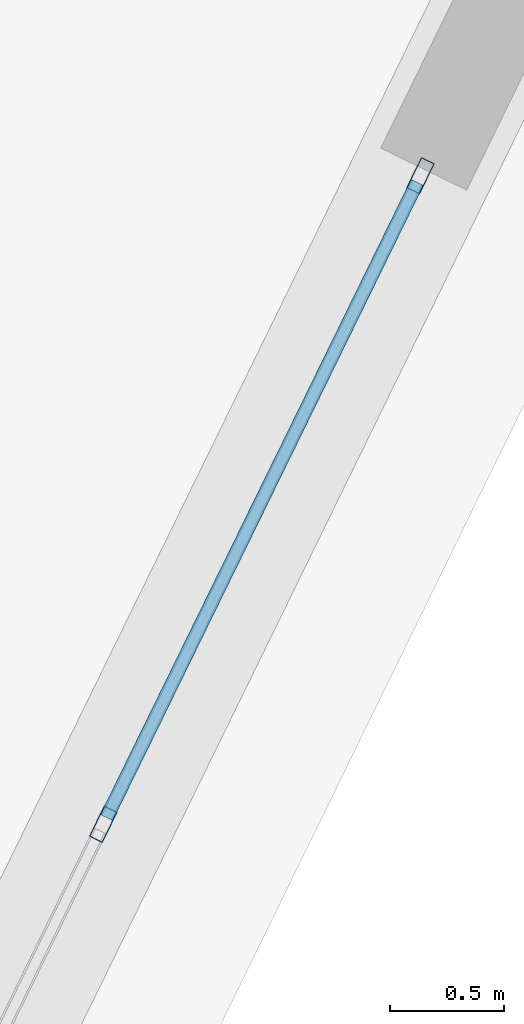
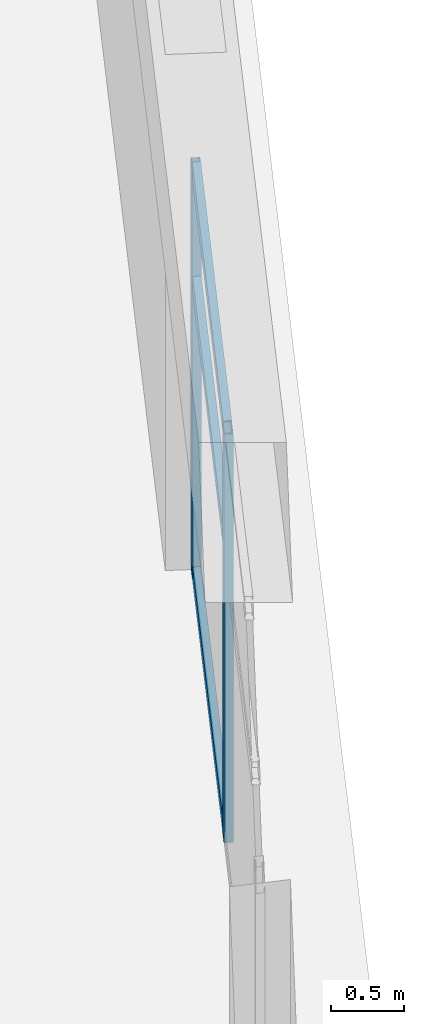
# One storey, part 16 of 30: 5 members, 1 element without a shape of its own.
"""IFC4 building model written with IfcOpenShell, lengths in metres."""

from ifc_helpers import new_model, si_unit, direction, frame, origin, origin_2d, place, context, subcontext, project, spatial, hollow_rectangle, extrude, source, transform, mapped, material, layer, layer_set, material_profile, profile_set, type_object, element, aggregate, save


model = new_model("IFC4")

# Units and contexts
model_context = context("Model", 3, precision=1e-05, world=origin(), true_north=direction((0.0, 1.0)))
body_context = subcontext(model_context, "Body", "Model", "MODEL_VIEW")
ifc_project = project(units=[si_unit("LENGTHUNIT", "METRE"), si_unit("AREAUNIT", "SQUARE_METRE"), si_unit("VOLUMEUNIT", "CUBIC_METRE"), si_unit("PLANEANGLEUNIT", "RADIAN"), si_unit("MASSUNIT", "GRAM", prefix="KILO")], contexts=[model_context])

# Site, building, storey
site_placement = place(None, origin())
site = spatial("IfcSite", under=ifc_project, at=site_placement, CompositionType="ELEMENT")
building_placement = place(site_placement, origin())
building = spatial("IfcBuilding", under=site, at=building_placement, Name="Liaohun Quay Tower", CompositionType="ELEMENT")
storey_placement = place(building_placement, frame((0.0, 0.0, 97.5)))
storey = spatial("IfcBuildingStorey", under=building, at=storey_placement, Name="L25", CompositionType="ELEMENT", Elevation=97.5)

# Curtain wall, members
ifc_material_1 = material(Name="Low-rise sky-lobby belvedere curtain wall")
ifc_layer = layer(ifc_material_1, 0.199951171875, Name="Low-rise sky-lobby belvedere curtain wall")
ifc_layer_set = layer_set([ifc_layer], Name="Low-rise sky-lobby belvedere curtain wall")
curtain_wall_type = type_object("IfcCurtainWallType", Name="CW-SKY-L25", PredefinedType="NOTDEFINED", material=ifc_layer_set)
curtain_wall_placement = place(storey_placement, origin())
curtain_wall = element("IfcCurtainWall", 1, at=curtain_wall_placement, inside=storey, type_object=curtain_wall_type, Name="L25 Panoramic Belvedere Curtain Wall 02", PredefinedType="NOTDEFINED")
ifc_material_2 = material(Name="Anodised aluminium 6063-T6", Category="aluminium")
ifc_material_profile_1 = material_profile(ifc_material_2, hollow_rectangle(XDim=0.06494140625, YDim=0.14990234375, WallThickness=0.00390625, at=origin_2d()), Name="RHS150x65x4")
ifc_profile_set_1 = profile_set([ifc_material_profile_1], Name="Anodised aluminium 6063-T6")
member_type_1 = type_object("IfcMemberType", Name="MEM-CWM-SKY", PredefinedType="MULLION", material=ifc_profile_set_1)
shared_shape_1 = source(origin(), body_context, "Body", "SweptSolid", [
    extrude(hollow_rectangle(XDim=0.06494140625, YDim=0.14990234375, WallThickness=0.00390625, at=origin_2d()), origin(), (0.0, 0.0, 1.0), 3.419921875),
])
member_1_placement = place(storey_placement, frame((90.98291015625, 55.71142578125, 0.0), z_axis=(0.0, 0.0, 1.0), x_axis=(-0.898299398197, 0.439383876809, 0.0)))
member_1 = element("IfcMember", 2, at=member_1_placement, type_object=member_type_1, Name="CW3 mullion 2", PredefinedType="MULLION", context=body_context, shape_type="MappedRepresentation", body=[
    mapped(shared_shape_1, transform((0.0, 0.0, 0.0), x_axis=(1.0, 0.0, 0.0), y_axis=(0.0, 1.0, 0.0), z_axis=(0.0, 0.0, 1.0), scale=1.0)),
])
member_2_placement = place(storey_placement, frame((92.374755859375, 58.556884765625, 0.0), z_axis=(0.0, 0.0, 1.0), x_axis=(-0.898299398197, 0.439383876809, 0.0)))
member_2 = element("IfcMember", 3, at=member_2_placement, type_object=member_type_1, Name="CW3 mullion 3", PredefinedType="MULLION", context=body_context, shape_type="MappedRepresentation", body=[
    mapped(shared_shape_1, transform((0.0, 0.0, 0.0), x_axis=(1.0, 0.0, 0.0), y_axis=(0.0, 1.0, 0.0), z_axis=(0.0, 0.0, 1.0), scale=1.0)),
])
ifc_material_profile_2 = material_profile(ifc_material_2, hollow_rectangle(XDim=0.06005859375, YDim=0.135009765625, WallThickness=0.00390625, at=origin_2d()), Name="RHS135x60x4")
ifc_profile_set_2 = profile_set([ifc_material_profile_2], Name="Anodised aluminium 6063-T6")
member_type_2 = type_object("IfcMemberType", Name="MEM-CWT-SKY", PredefinedType="USERDEFINED", material=ifc_profile_set_2)
shared_shape_2 = source(origin(), body_context, "Body", "SweptSolid", [
    extrude(hollow_rectangle(XDim=0.06005859375, YDim=0.135009765625, WallThickness=0.00390625, at=origin_2d()), origin(), (0.0, 0.0, 1.0), 3.102294921875),
])
member_3_placement = place(storey_placement, frame((90.997314453125, 55.74072265625, 0.030029296875), z_axis=(0.439358327456, 0.898311894664, 0.0), x_axis=(-0.898311894664, 0.439358327456, 0.0)))
member_3 = element("IfcMember", 4, at=member_3_placement, type_object=member_type_2, Name="CW3 transom 2.1", ObjectType="TRANSOM", PredefinedType="USERDEFINED", context=body_context, shape_type="MappedRepresentation", body=[
    mapped(shared_shape_2, transform((0.0, 0.0, 0.0), x_axis=(1.0, 0.0, 0.0), y_axis=(0.0, 1.0, 0.0), z_axis=(0.0, 0.0, 1.0), scale=1.0)),
])
member_4_placement = place(storey_placement, frame((90.997314453125, 55.74072265625, 2.4619140625), z_axis=(0.439358327456, 0.898311894664, 0.0), x_axis=(-0.898311894664, 0.439358327456, 0.0)))
member_4 = element("IfcMember", 5, at=member_4_placement, type_object=member_type_2, Name="CW3 transom 2.2", ObjectType="TRANSOM", PredefinedType="USERDEFINED", context=body_context, shape_type="MappedRepresentation", body=[
    mapped(shared_shape_2, transform((0.0, 0.0, 0.0), x_axis=(1.0, 0.0, 0.0), y_axis=(0.0, 1.0, 0.0), z_axis=(0.0, 0.0, 1.0), scale=1.0)),
])
member_5_placement = place(storey_placement, frame((90.997314453125, 55.74072265625, 3.389892578125), z_axis=(0.439358327456, 0.898311894664, 0.0), x_axis=(-0.898311894664, 0.439358327456, 0.0)))
member_5 = element("IfcMember", 6, at=member_5_placement, type_object=member_type_2, Name="CW3 transom 2.3", ObjectType="TRANSOM", PredefinedType="USERDEFINED", context=body_context, shape_type="MappedRepresentation", body=[
    mapped(shared_shape_2, transform((0.0, 0.0, 0.0), x_axis=(1.0, 0.0, 0.0), y_axis=(0.0, 1.0, 0.0), z_axis=(0.0, 0.0, 1.0), scale=1.0)),
])
aggregate(curtain_wall, [member_1, member_2, member_3, member_4, member_5])

save(model, "model.ifc")
